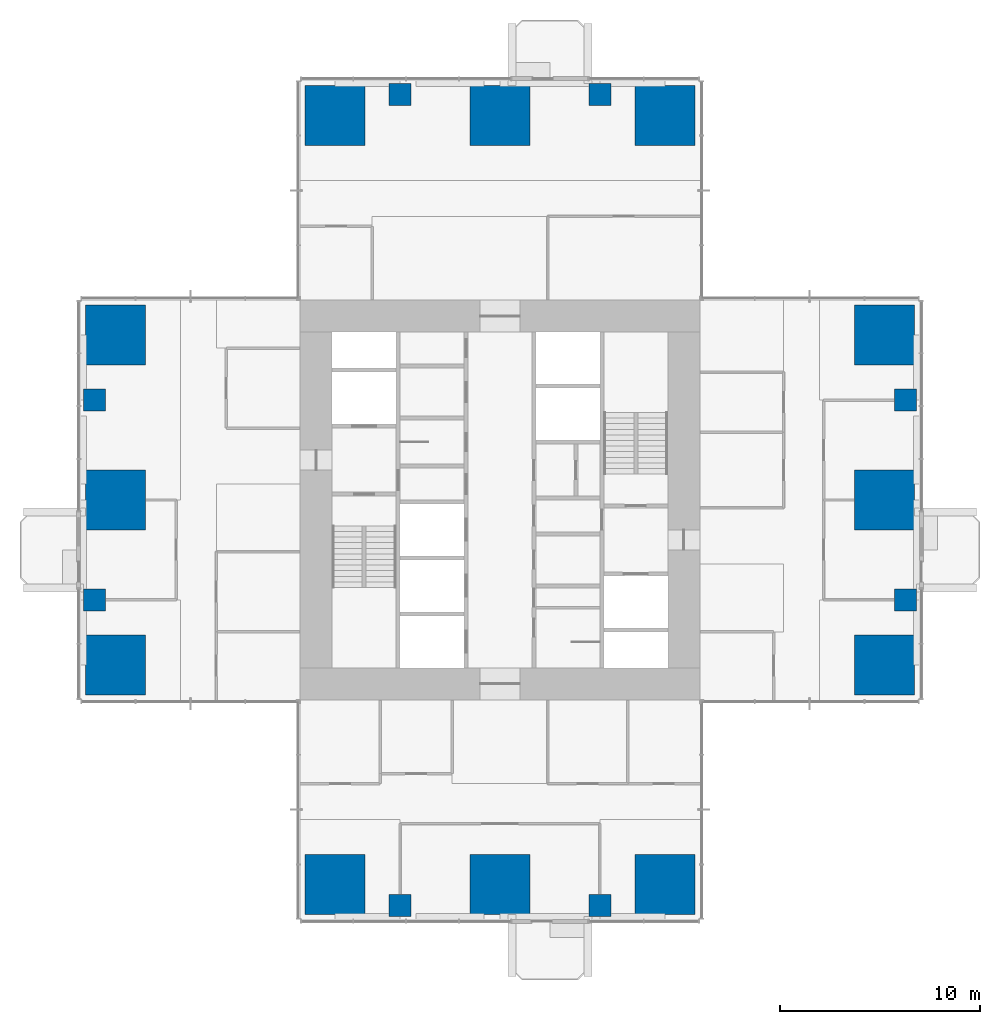
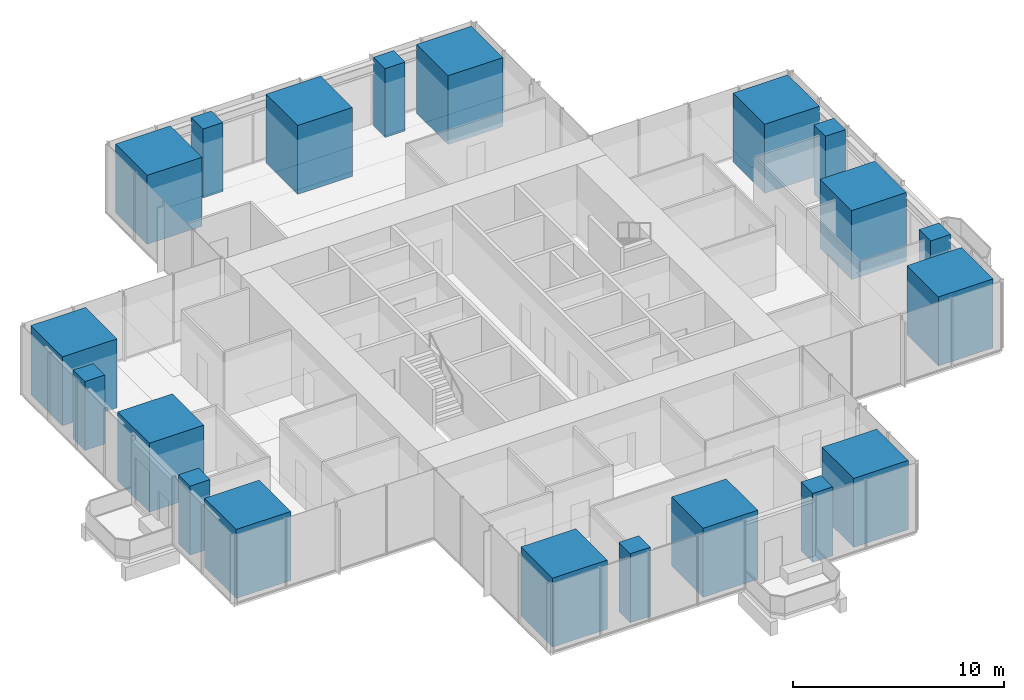
# One storey, part 1 of 13: 20 columns.
"""IFC4 building model written with IfcOpenShell, lengths in metres."""

from ifc_helpers import new_model, si_unit, direction, frame, origin, origin_2d, place, context, subcontext, project, spatial, rectangle, extrude, material, material_profile, profile_set, type_object, element, save


model = new_model("IFC4")

# Units and contexts
model_context = context("Model", 3, precision=1e-05, world=origin(), true_north=direction((0.0, 1.0)))
body_context = subcontext(model_context, "Body", "Model", "MODEL_VIEW")
ifc_project = project(units=[si_unit("LENGTHUNIT", "METRE"), si_unit("AREAUNIT", "SQUARE_METRE"), si_unit("VOLUMEUNIT", "CUBIC_METRE"), si_unit("PLANEANGLEUNIT", "RADIAN"), si_unit("MASSUNIT", "GRAM", prefix="KILO")], contexts=[model_context])

# Site, building, storey
site_placement = place(None, origin())
site = spatial("IfcSite", under=ifc_project, at=site_placement, CompositionType="ELEMENT")
building_placement = place(site_placement, origin())
building = spatial("IfcBuilding", under=site, at=building_placement, Name="Svetlomir Tower", CompositionType="ELEMENT")
storey_placement = place(building_placement, frame((0.0, 0.0, 144.5)))
storey = spatial("IfcBuildingStorey", under=building, at=storey_placement, Name="L34", CompositionType="ELEMENT", Elevation=144.5)

# Columns
ifc_material_1 = material(Name="Concrete C60/75", Category="concrete")
ifc_material_profile_1 = material_profile(ifc_material_1, rectangle(XDim=1.10009765625, YDim=1.10009765625, at=origin_2d()), Name="RC 1100x1100")
ifc_profile_set_1 = profile_set([ifc_material_profile_1], Name="Concrete C60/75")
column_type_1 = type_object("IfcColumnType", Name="COLUMN RC 1100x1100", PredefinedType="COLUMN", material=ifc_profile_set_1)
for number, where, z_axis, x_axis, name in (
    (1, (16.0, 0.699951171875, 0.0), (0.0, 0.0, 1.0), (1.0, 0.0, 0.0), "Column 16/0 L34"),
    (2, (26.0, 0.699951171875, 0.0), (0.0, 0.0, 1.0), (1.0, 0.0, 0.0), "Column 26/0 L34"),
    (3, (0.699951171875, 16.0, 0.0), (0.0, 0.0, 1.0), (1.0, 0.0, 0.0), "Column 0/16 L34"),
    (4, (41.300048828125, 16.0, 0.0), (0.0, 0.0, 1.0), (1.0, 0.0, 0.0), "Column 42/16 L34"),
    (5, (0.699951171875, 26.0, 0.0), (0.0, 0.0, 1.0), (1.0, 0.0, 0.0), "Column 0/26 L34"),
    (6, (41.300048828125, 26.0, 0.0), (0.0, 0.0, 1.0), (1.0, 0.0, 0.0), "Column 42/26 L34"),
    (7, (16.0, 41.300048828125, 0.0), (0.0, 0.0, 1.0), (1.0, 0.0, 0.0), "Column 16/42 L34"),
    (8, (26.0, 41.300048828125, 0.0), (0.0, 0.0, 1.0), (1.0, 0.0, 0.0), "Column 26/42 L34"),
):
    element("IfcColumn", number, at=place(storey_placement, frame(where, z_axis=z_axis, x_axis=x_axis)), inside=storey, type_object=column_type_1, Name=name, PredefinedType="COLUMN", context=body_context, shape_type="SweptSolid", body=[
        extrude(rectangle(XDim=1.10009765625, YDim=1.10009765625, at=origin_2d()), origin(), (0.0, 0.0, 1.0), 4.0),
    ])
ifc_material_2 = material(Name="Concrete C60/75", Category="concrete")
ifc_material_profile_2 = material_profile(ifc_material_2, rectangle(XDim=3.0, YDim=3.0, at=origin_2d()), Name="RC 3000x3000")
ifc_profile_set_2 = profile_set([ifc_material_profile_2], Name="Concrete C60/75")
column_type_2 = type_object("IfcColumnType", Name="COLUMN RC 3000x3000", PredefinedType="COLUMN", material=ifc_profile_set_2)
for number, where, z_axis, x_axis, name in (
    (9, (12.75, 1.75, 0.0), (0.0, 0.0, 1.0), (1.0, 0.0, 0.0), "Column 11/0 L34"),
    (10, (21.0, 1.75, 0.0), (0.0, 0.0, 1.0), (1.0, 0.0, 0.0), "Column 21/0 L34"),
    (11, (29.25, 1.75, 0.0), (0.0, 0.0, 1.0), (1.0, 0.0, 0.0), "Column 31/0 L34"),
    (12, (1.75, 12.75, 0.0), (0.0, 0.0, 1.0), (1.0, 0.0, 0.0), "Column 0/11 L34"),
    (13, (40.25, 12.75, 0.0), (0.0, 0.0, 1.0), (1.0, 0.0, 0.0), "Column 42/11 L34"),
    (14, (1.75, 21.0, 0.0), (0.0, 0.0, 1.0), (1.0, 0.0, 0.0), "Column 0/21 L34"),
    (15, (40.25, 21.0, 0.0), (0.0, 0.0, 1.0), (1.0, 0.0, 0.0), "Column 42/21 L34"),
    (16, (1.75, 29.25, 0.0), (0.0, 0.0, 1.0), (1.0, 0.0, 0.0), "Column 0/31 L34"),
    (17, (40.25, 29.25, 0.0), (0.0, 0.0, 1.0), (1.0, 0.0, 0.0), "Column 42/31 L34"),
    (18, (12.75, 40.25, 0.0), (0.0, 0.0, 1.0), (1.0, 0.0, 0.0), "Column 11/42 L34"),
    (19, (21.0, 40.25, 0.0), (0.0, 0.0, 1.0), (1.0, 0.0, 0.0), "Column 21/42 L34"),
    (20, (29.25, 40.25, 0.0), (0.0, 0.0, 1.0), (1.0, 0.0, 0.0), "Column 31/42 L34"),
):
    element("IfcColumn", number, at=place(storey_placement, frame(where, z_axis=z_axis, x_axis=x_axis)), inside=storey, type_object=column_type_2, Name=name, PredefinedType="COLUMN", context=body_context, shape_type="SweptSolid", body=[
        extrude(rectangle(XDim=3.0, YDim=3.0, at=origin_2d()), origin(), (0.0, 0.0, 1.0), 4.0),
    ])

save(model, "model.ifc")
